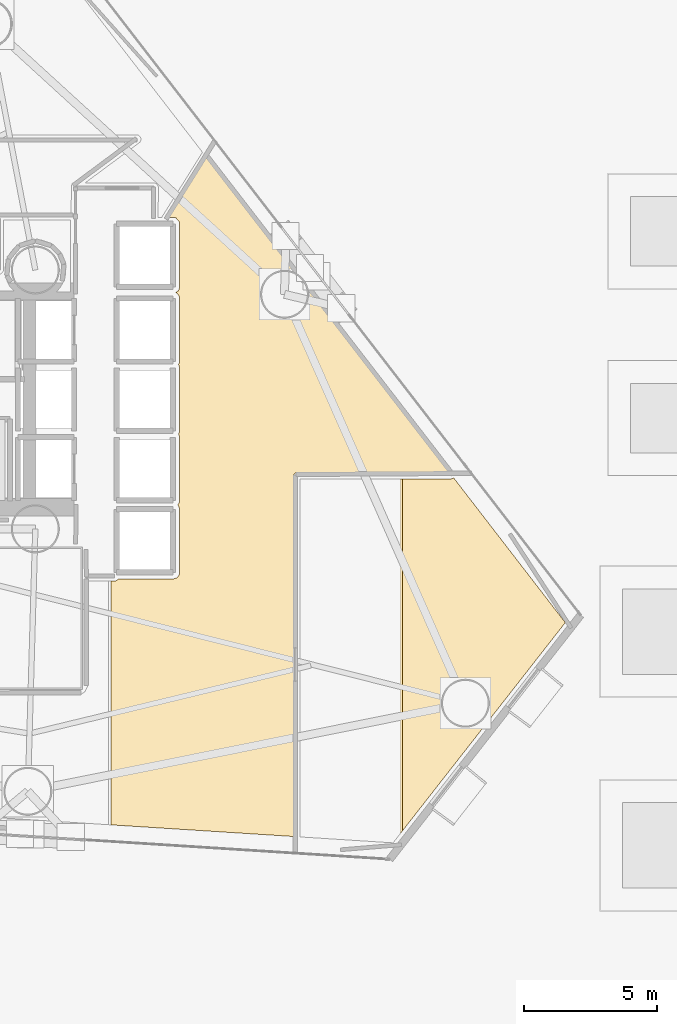
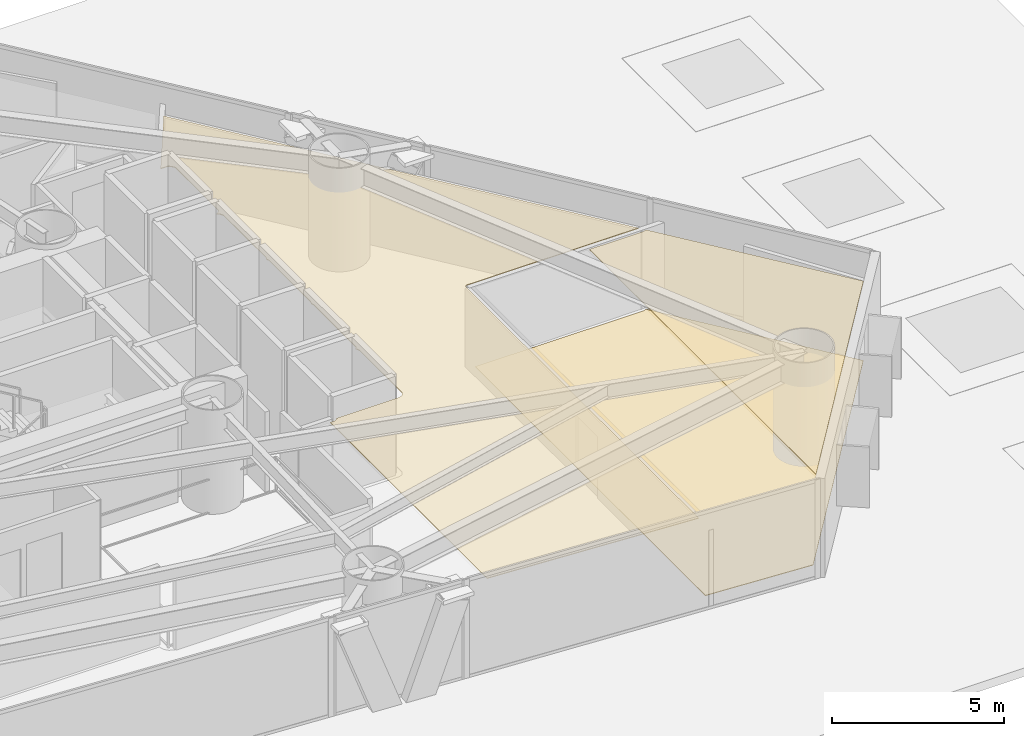
# One storey, part 22 of 22: 3 coverings.
"""IFC4 building model written with IfcOpenShell, lengths in metres."""

from ifc_helpers import new_model, si_unit, direction, frame, origin, place, context, subcontext, project, spatial, polyline, outline, extrude, material, layer, layer_set, type_object, element, save


model = new_model("IFC4")

# Units and contexts
model_context = context("Model", 3, precision=1e-05, world=origin(), true_north=direction((0.0, 1.0)))
body_context = subcontext(model_context, "Body", "Model", "MODEL_VIEW")
ifc_project = project(units=[si_unit("LENGTHUNIT", "METRE"), si_unit("AREAUNIT", "SQUARE_METRE"), si_unit("VOLUMEUNIT", "CUBIC_METRE"), si_unit("PLANEANGLEUNIT", "RADIAN"), si_unit("MASSUNIT", "GRAM", prefix="KILO")], contexts=[model_context])

# Site, building, storey
site_placement = place(None, origin())
site = spatial("IfcSite", under=ifc_project, at=site_placement, CompositionType="ELEMENT")
building_placement = place(site_placement, origin())
building = spatial("IfcBuilding", under=site, at=building_placement, Name="Qianvela Tower", CompositionType="ELEMENT")
storey_placement = place(building_placement, frame((0.0, 0.0, 25.699951171875)))
storey = spatial("IfcBuildingStorey", under=building, at=storey_placement, Name="L05", CompositionType="ELEMENT", Elevation=25.699951171875)

# Coverings
ifc_material_1 = material(Name="Perforated Mineral Acoustic Ceiling Tile")
ifc_layer_1 = layer(ifc_material_1, 0.02490234375)
ifc_layer_set_1 = layer_set([ifc_layer_1], Name="Perforated Mineral Acoustic Ceiling Tile")
covering_type_1 = type_object("IfcCoveringType", Name="COV-CEIL-ACOUSTIC-25", PredefinedType="CEILING", material=ifc_layer_set_1)
covering_1_placement = place(storey_placement, frame((0.0, 0.0, 2.81494140625)))
element("IfcCovering", 1, at=covering_1_placement, inside=storey, type_object=covering_type_1, Name="L05 Acoustic Ceiling Bay 2 Shared Communal Kitchen L05-02", PredefinedType="CEILING", context=body_context, shape_type="SweptSolid", body=[
    extrude(outline(polyline([(41.367919921875, 21.890380859375), (41.375732421875, 21.890869140625), (41.383544921875, 21.891845703125), (41.39111328125, 21.893798828125), (41.3984375, 21.896484375), (41.405517578125, 21.89990234375), (41.45947265625, 21.9287109375), (41.46630859375, 21.932861328125), (41.472900390625, 21.9375), (41.478759765625, 21.943115234375), (41.48388671875, 21.948974609375), (41.48876953125, 21.955322265625), (41.492919921875, 21.96240234375), (41.49609375, 21.969482421875), (41.498779296875, 21.97705078125), (41.49951171875, 21.97998046875), (43.59375, 21.980712890625), (43.6015625, 21.981201171875), (43.609375, 21.982177734375), (43.616943359375, 21.984130859375), (43.624267578125, 21.98681640625), (43.699462890625, 22.017822265625), (43.70703125, 22.021484375), (43.71435546875, 22.02587890625), (43.72119140625, 22.03125), (43.727294921875, 22.037109375), (43.732666015625, 22.043701171875), (43.7373046875, 22.05078125), (43.785888671875, 22.131591796875), (43.7900390625, 22.13916015625), (43.793212890625, 22.147216796875), (43.79541015625, 22.155517578125), (43.796875, 22.1640625), (43.79736328125, 22.172607421875), (43.800048828125, 24.599853515625), (43.7998046875, 24.606689453125), (43.798828125, 24.613525390625), (43.79736328125, 24.620361328125), (43.79541015625, 24.626953125), (43.763427734375, 24.7158203125), (43.760498046875, 24.722900390625), (43.7568359375, 24.72998046875), (43.75244140625, 24.736572265625), (43.74755859375, 24.742431640625), (43.741943359375, 24.748046875), (43.73583984375, 24.753173828125), (43.735107421875, 24.753662109375), (43.7783203125, 24.811767578125), (43.782958984375, 24.81884765625), (43.786865234375, 24.826416015625), (43.789794921875, 24.834228515625), (43.7919921875, 24.84228515625), (43.79345703125, 24.8505859375), (43.7939453125, 24.859130859375), (43.800048828125, 27.2998046875), (43.799560546875, 27.307861328125), (43.79833984375, 27.315673828125), (43.79638671875, 27.323486328125), (43.793701171875, 27.3310546875), (43.7646484375, 27.39990234375), (43.793701171875, 27.468994140625), (43.79638671875, 27.476318359375), (43.79833984375, 27.484130859375), (43.799560546875, 27.491943359375), (43.800048828125, 27.5), (43.800048828125, 29.89990234375), (43.799560546875, 29.907958984375), (43.79833984375, 29.915771484375), (43.79638671875, 29.923583984375), (43.793701171875, 29.93115234375), (43.7646484375, 30.0), (43.793701171875, 30.06884765625), (43.79638671875, 30.076416015625), (43.79833984375, 30.084228515625), (43.799560546875, 30.092041015625), (43.800048828125, 30.10009765625), (43.79736328125, 32.52734375), (43.796875, 32.535888671875), (43.79541015625, 32.54443359375), (43.793212890625, 32.552734375), (43.7900390625, 32.560791015625), (43.785888671875, 32.568359375), (43.7373046875, 32.6494140625), (43.732666015625, 32.656494140625), (43.727294921875, 32.662841796875), (43.72119140625, 32.668701171875), (43.71435546875, 32.674072265625), (43.70703125, 32.678466796875), (43.699462890625, 32.68212890625), (43.645751953125, 32.704345703125), (43.734130859375, 32.751708984375), (43.740966796875, 32.755615234375), (43.747314453125, 32.760498046875), (43.7529296875, 32.765625), (43.75830078125, 32.771484375), (43.762939453125, 32.77783203125), (43.76708984375, 32.784423828125), (43.770263671875, 32.79150390625), (43.77294921875, 32.799072265625), (43.796630859375, 32.876708984375), (43.798583984375, 32.884521484375), (43.799560546875, 32.89208984375), (43.800048828125, 32.900146484375), (43.79736328125, 35.327392578125), (43.796875, 35.335693359375), (43.79541015625, 35.343994140625), (43.793212890625, 35.352294921875), (43.790283203125, 35.360107421875), (43.78662109375, 35.367431640625), (43.781982421875, 35.37451171875), (43.776611328125, 35.381103515625), (43.679931640625, 35.48779296875), (43.674072265625, 35.493408203125), (43.667724609375, 35.49853515625), (43.660888671875, 35.503173828125), (43.65380859375, 35.5068359375), (43.64599609375, 35.509765625), (43.63818359375, 35.511962890625), (43.630126953125, 35.513427734375), (43.6220703125, 35.513916015625), (43.395263671875, 35.517822265625), (44.803955078125, 37.776611328125), (53.93310546875, 25.94189453125), (48.169189453125, 25.94189453125), (48.161376953125, 25.941650390625), (48.153564453125, 25.9404296875), (48.14599609375, 25.938720703125), (48.138671875, 25.935791015625), (48.131591796875, 25.9326171875), (48.124755859375, 25.928466796875), (48.118408203125, 25.923828125), (48.112548828125, 25.918701171875), (48.107421875, 25.912841796875), (48.102783203125, 25.906494140625), (48.0986328125, 25.899658203125), (48.09521484375, 25.892578125), (48.092529296875, 25.88525390625), (48.0908203125, 25.877685546875), (48.089599609375, 25.869873046875), (48.089111328125, 25.862060546875), (48.088623046875, 12.322509765625), (41.23046875, 12.759765625), (41.23046875, 21.890380859375), (41.367919921875, 21.890380859375)])), origin(), (0.0, 0.0, 1.0), 0.025146484375),
])
covering_2_placement = place(storey_placement, frame((0.0, 0.0, 2.81494140625)))
element("IfcCovering", 2, at=covering_2_placement, inside=storey, type_object=covering_type_1, Name="L05 Acoustic Ceiling Bay 2 Student Wellness Lounge L05-05", PredefinedType="CEILING", context=body_context, shape_type="SweptSolid", body=[
    extrude(outline(polyline([(52.15576171875, 12.537109375), (52.15576171875, 25.719970703125), (53.95703125, 25.719970703125), (53.9658203125, 25.720458984375), (53.974609375, 25.721923828125), (53.98291015625, 25.724365234375), (54.076416015625, 25.75634765625), (58.255859375, 20.33837890625), (52.15576171875, 12.537109375)])), origin(), (0.0, 0.0, 1.0), 0.025146484375),
])
ifc_material_2 = material(Name="Engineered Acoustic Oak Timber Flooring", Category="wood")
ifc_layer_2 = layer(ifc_material_2, 0.02001953125)
ifc_layer_set_2 = layer_set([ifc_layer_2], Name="Engineered Acoustic Oak Timber Flooring")
covering_type_2 = type_object("IfcCoveringType", Name="COV-FLOOR-OAK-20", PredefinedType="FLOORING", material=ifc_layer_set_2)
covering_3_placement = place(storey_placement, origin())
element("IfcCovering", 3, at=covering_3_placement, inside=storey, type_object=covering_type_2, Name="L05 Finish Flooring Student Wellness Lounge L05-05", PredefinedType="FLOORING", context=body_context, shape_type="SweptSolid", body=[
    extrude(outline(polyline([(58.255859375, 20.33837890625), (51.802734375, 12.085693359375), (48.310302734375, 12.308349609375), (48.311279296875, 25.719970703125), (53.95703125, 25.719970703125), (53.9658203125, 25.720458984375), (53.974609375, 25.721923828125), (53.98291015625, 25.724365234375), (54.076416015625, 25.75634765625), (58.255859375, 20.33837890625)])), origin(), (0.0, 0.0, 1.0), 0.02001953125),
])

save(model, "model.ifc")
